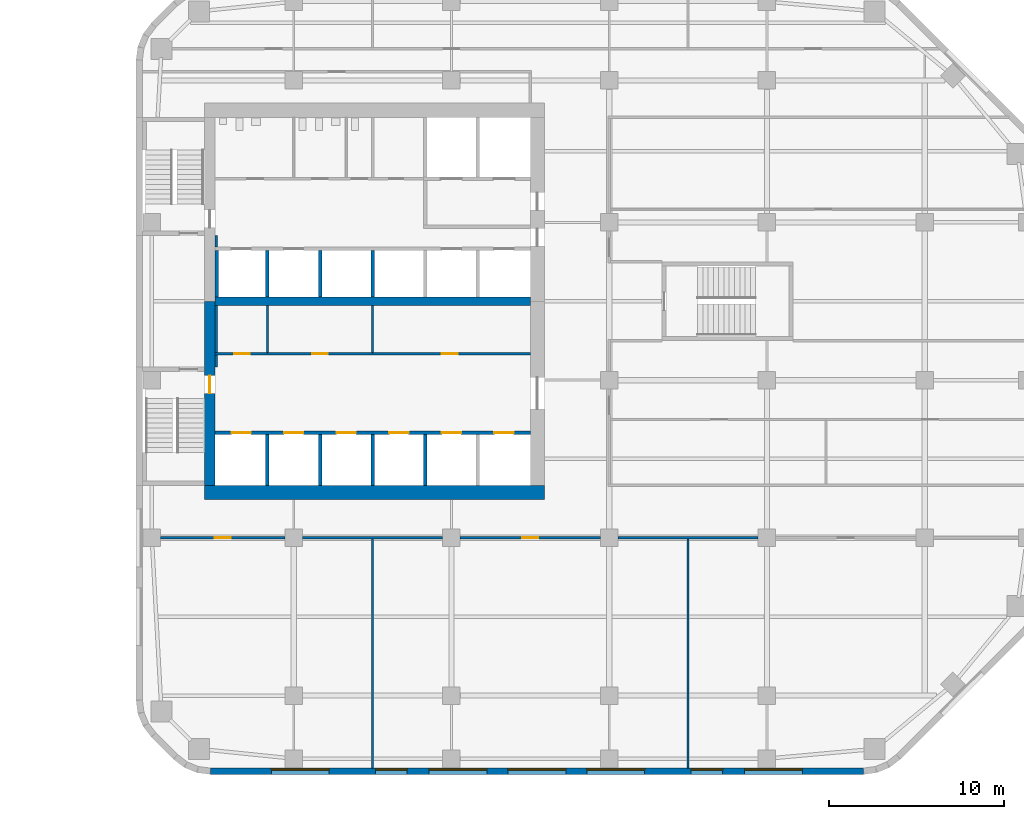
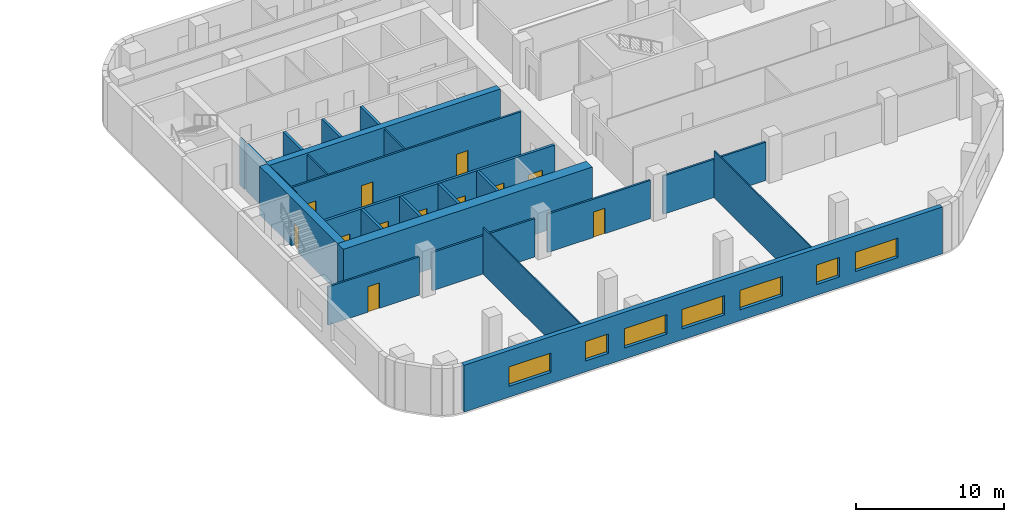
# One storey, part 8 of 14: 25 walls, 12 doors, 7 windows, 19 openings.
"""IFC4 building model written with IfcOpenShell, lengths in metres."""

from ifc_helpers import new_model, si_unit, direction, frame, frame_2d, origin, place, context, subcontext, project, spatial, rectangle, extrude, material, layer, layer_set, type_object, element, fill, save


model = new_model("IFC4")

# Units and contexts
model_context = context("Model", 3, precision=1e-05, world=origin(), true_north=direction((0.0, 1.0)))
body_context = subcontext(model_context, "Body", "Model", "MODEL_VIEW")
ifc_project = project(units=[si_unit("LENGTHUNIT", "METRE"), si_unit("AREAUNIT", "SQUARE_METRE"), si_unit("VOLUMEUNIT", "CUBIC_METRE"), si_unit("PLANEANGLEUNIT", "RADIAN"), si_unit("MASSUNIT", "GRAM", prefix="KILO")], contexts=[model_context])

# Site, building, storey
site_placement = place(None, origin())
site = spatial("IfcSite", under=ifc_project, at=site_placement, CompositionType="ELEMENT")
building_placement = place(site_placement, origin())
building = spatial("IfcBuilding", under=site, at=building_placement, Name="Cinnabar Reach Civic Tower", CompositionType="ELEMENT")
storey_placement = place(building_placement, frame((0.0, 0.0, 132.0)))
storey = spatial("IfcBuildingStorey", under=building, at=storey_placement, Name="L31", CompositionType="ELEMENT", Elevation=132.0)

# Wall, openings, windows
ifc_material_1 = material(Name="Facing brick with insulated backing", Category="masonry")
ifc_layer_1 = layer(ifc_material_1, 0.36)
ifc_layer_set_1 = layer_set([ifc_layer_1], Name="Brick pier and spandrel wall")
wall_type_1 = type_object("IfcWallType", Name="Brick pier and spandrel wall", PredefinedType="STANDARD", material=ifc_layer_set_1)
wall_1_placement = place(storey_placement, frame((4.2426, 4.68, 0.0), z_axis=(0.0, 0.0, 1.0), x_axis=(1.0, 0.0, 0.0)))
wall_1 = element("IfcWall", 1, at=wall_1_placement, inside=storey, type_object=wall_type_1, Name="Brick facade wall", PredefinedType="STANDARD", context=body_context, shape_type="SweptSolid", body=[
    extrude(rectangle(XDim=37.2648, YDim=0.36, at=frame_2d((18.6324, 0.0))), origin(), (0.0, 0.0, 1.0), 3.85),
])
opening_1_placement = place(wall_1_placement, frame((3.4824, 0.0, 0.9)))
opening_1 = element("IfcOpeningElement", 2, at=opening_1_placement, cuts=wall_1, Name="Opening W1655", PredefinedType="OPENING", context=body_context, shape_type="SweptSolid", body=[
    extrude(rectangle(XDim=3.3, YDim=1.6, at=frame_2d((1.65, 0.8))), frame((0.0, 0.19, 0.0), z_axis=(0.0, -1.0, 0.0), x_axis=(1.0, 0.0, 0.0)), (0.0, 0.0, 1.0), 0.38),
])
opening_2_placement = place(wall_1_placement, frame((9.4324, 0.0, 0.9)))
opening_2 = element("IfcOpeningElement", 3, at=opening_2_placement, cuts=wall_1, Name="Opening W1656", PredefinedType="OPENING", context=body_context, shape_type="SweptSolid", body=[
    extrude(rectangle(XDim=1.8, YDim=1.6, at=frame_2d((0.9, 0.8))), frame((0.0, 0.19, 0.0), z_axis=(0.0, -1.0, 0.0), x_axis=(1.0, 0.0, 0.0)), (0.0, 0.0, 1.0), 0.38),
])
opening_3_placement = place(wall_1_placement, frame((12.4824, 0.0, 0.9)))
opening_3 = element("IfcOpeningElement", 4, at=opening_3_placement, cuts=wall_1, Name="Opening W1657", PredefinedType="OPENING", context=body_context, shape_type="SweptSolid", body=[
    extrude(rectangle(XDim=3.3, YDim=1.6, at=frame_2d((1.65, 0.8))), frame((0.0, 0.19, 0.0), z_axis=(0.0, -1.0, 0.0), x_axis=(1.0, 0.0, 0.0)), (0.0, 0.0, 1.0), 0.38),
])
opening_4_placement = place(wall_1_placement, frame((16.9824, 0.0, 0.9)))
opening_4 = element("IfcOpeningElement", 5, at=opening_4_placement, cuts=wall_1, Name="Opening W1658", PredefinedType="OPENING", context=body_context, shape_type="SweptSolid", body=[
    extrude(rectangle(XDim=3.3, YDim=1.6, at=frame_2d((1.65, 0.8))), frame((0.0, 0.19, 0.0), z_axis=(0.0, -1.0, 0.0), x_axis=(1.0, 0.0, 0.0)), (0.0, 0.0, 1.0), 0.38),
])
opening_5_placement = place(wall_1_placement, frame((21.4824, 0.0, 0.9)))
opening_5 = element("IfcOpeningElement", 6, at=opening_5_placement, cuts=wall_1, Name="Opening W1659", PredefinedType="OPENING", context=body_context, shape_type="SweptSolid", body=[
    extrude(rectangle(XDim=3.3, YDim=1.6, at=frame_2d((1.65, 0.8))), frame((0.0, 0.19, 0.0), z_axis=(0.0, -1.0, 0.0), x_axis=(1.0, 0.0, 0.0)), (0.0, 0.0, 1.0), 0.38),
])
opening_6_placement = place(wall_1_placement, frame((27.4324, 0.0, 0.9)))
opening_6 = element("IfcOpeningElement", 7, at=opening_6_placement, cuts=wall_1, Name="Opening W1660", PredefinedType="OPENING", context=body_context, shape_type="SweptSolid", body=[
    extrude(rectangle(XDim=1.8, YDim=1.6, at=frame_2d((0.9, 0.8))), frame((0.0, 0.19, 0.0), z_axis=(0.0, -1.0, 0.0), x_axis=(1.0, 0.0, 0.0)), (0.0, 0.0, 1.0), 0.38),
])
opening_7_placement = place(wall_1_placement, frame((30.4824, 0.0, 0.9)))
opening_7 = element("IfcOpeningElement", 8, at=opening_7_placement, cuts=wall_1, Name="Opening W1661", PredefinedType="OPENING", context=body_context, shape_type="SweptSolid", body=[
    extrude(rectangle(XDim=3.3, YDim=1.6, at=frame_2d((1.65, 0.8))), frame((0.0, 0.19, 0.0), z_axis=(0.0, -1.0, 0.0), x_axis=(1.0, 0.0, 0.0)), (0.0, 0.0, 1.0), 0.38),
])
ifc_material_2 = material(Name="Clear double glazing in aluminium frame", Category="aluminium")
window_type_1 = type_object("IfcWindowType", Name="Deep-set window A", PartitioningType="SINGLE_PANEL", PredefinedType="WINDOW", material=ifc_material_2)
window_1_placement = place(opening_1_placement, origin())
window_1 = element("IfcWindow", 9, at=window_1_placement, inside=storey, type_object=window_type_1, Name="Window south face", OverallHeight=1.6, OverallWidth=3.3, PartitioningType="SINGLE_PANEL", PredefinedType="WINDOW", context=body_context, shape_type="SweptSolid", body=[
    extrude(rectangle(XDim=3.3, YDim=1.6, at=frame_2d((1.65, 0.8))), frame((0.0, 0.13, 0.0), z_axis=(0.0, -1.0, 0.0), x_axis=(1.0, 0.0, 0.0)), (0.0, 0.0, 1.0), 0.06),
])
fill(opening_1, window_1)
window_2_placement = place(opening_3_placement, origin())
window_2 = element("IfcWindow", 10, at=window_2_placement, inside=storey, type_object=window_type_1, Name="Window south face", OverallHeight=1.6, OverallWidth=3.3, PartitioningType="SINGLE_PANEL", PredefinedType="WINDOW", context=body_context, shape_type="SweptSolid", body=[
    extrude(rectangle(XDim=3.3, YDim=1.6, at=frame_2d((1.65, 0.8))), frame((0.0, 0.13, 0.0), z_axis=(0.0, -1.0, 0.0), x_axis=(1.0, 0.0, 0.0)), (0.0, 0.0, 1.0), 0.06),
])
fill(opening_3, window_2)
window_3_placement = place(opening_4_placement, origin())
window_3 = element("IfcWindow", 11, at=window_3_placement, inside=storey, type_object=window_type_1, Name="Window south face", OverallHeight=1.6, OverallWidth=3.3, PartitioningType="SINGLE_PANEL", PredefinedType="WINDOW", context=body_context, shape_type="SweptSolid", body=[
    extrude(rectangle(XDim=3.3, YDim=1.6, at=frame_2d((1.65, 0.8))), frame((0.0, 0.13, 0.0), z_axis=(0.0, -1.0, 0.0), x_axis=(1.0, 0.0, 0.0)), (0.0, 0.0, 1.0), 0.06),
])
fill(opening_4, window_3)
window_4_placement = place(opening_5_placement, origin())
window_4 = element("IfcWindow", 12, at=window_4_placement, inside=storey, type_object=window_type_1, Name="Window south face", OverallHeight=1.6, OverallWidth=3.3, PartitioningType="SINGLE_PANEL", PredefinedType="WINDOW", context=body_context, shape_type="SweptSolid", body=[
    extrude(rectangle(XDim=3.3, YDim=1.6, at=frame_2d((1.65, 0.8))), frame((0.0, 0.13, 0.0), z_axis=(0.0, -1.0, 0.0), x_axis=(1.0, 0.0, 0.0)), (0.0, 0.0, 1.0), 0.06),
])
fill(opening_5, window_4)
window_5_placement = place(opening_7_placement, origin())
window_5 = element("IfcWindow", 13, at=window_5_placement, inside=storey, type_object=window_type_1, Name="Window south face", OverallHeight=1.6, OverallWidth=3.3, PartitioningType="SINGLE_PANEL", PredefinedType="WINDOW", context=body_context, shape_type="SweptSolid", body=[
    extrude(rectangle(XDim=3.3, YDim=1.6, at=frame_2d((1.65, 0.8))), frame((0.0, 0.13, 0.0), z_axis=(0.0, -1.0, 0.0), x_axis=(1.0, 0.0, 0.0)), (0.0, 0.0, 1.0), 0.06),
])
fill(opening_7, window_5)
window_type_2 = type_object("IfcWindowType", Name="Deep-set window D", PartitioningType="SINGLE_PANEL", PredefinedType="WINDOW", material=ifc_material_2)
window_6_placement = place(opening_2_placement, origin())
window_6 = element("IfcWindow", 14, at=window_6_placement, inside=storey, type_object=window_type_2, Name="Window south face", OverallHeight=1.6, OverallWidth=1.8, PartitioningType="SINGLE_PANEL", PredefinedType="WINDOW", context=body_context, shape_type="SweptSolid", body=[
    extrude(rectangle(XDim=1.8, YDim=1.6, at=frame_2d((0.9, 0.8))), frame((0.0, 0.13, 0.0), z_axis=(0.0, -1.0, 0.0), x_axis=(1.0, 0.0, 0.0)), (0.0, 0.0, 1.0), 0.06),
])
fill(opening_2, window_6)
window_7_placement = place(opening_6_placement, origin())
window_7 = element("IfcWindow", 15, at=window_7_placement, inside=storey, type_object=window_type_2, Name="Window south face", OverallHeight=1.6, OverallWidth=1.8, PartitioningType="SINGLE_PANEL", PredefinedType="WINDOW", context=body_context, shape_type="SweptSolid", body=[
    extrude(rectangle(XDim=1.8, YDim=1.6, at=frame_2d((0.9, 0.8))), frame((0.0, 0.13, 0.0), z_axis=(0.0, -1.0, 0.0), x_axis=(1.0, 0.0, 0.0)), (0.0, 0.0, 1.0), 0.06),
])
fill(opening_6, window_7)

# Wall
ifc_material_3 = material(Name="Concrete C60", Category="concrete")
ifc_layer_2 = layer(ifc_material_3, 0.5)
ifc_layer_set_2 = layer_set([ifc_layer_2], Name="Core wall 500 EI 180")
wall_type_2 = type_object("IfcWallType", Name="Core wall 500 EI 180", PredefinedType="SOLIDWALL", material=ifc_layer_set_2)
wall_2_placement = place(storey_placement, frame((4.5, 31.5, 0.0), z_axis=(0.0, 0.0, 1.0), x_axis=(1.0, 0.0, 0.0)))
element("IfcWall", 16, at=wall_2_placement, inside=storey, type_object=wall_type_2, Name="Core spine wall T1 L31", PredefinedType="SOLIDWALL", context=body_context, shape_type="SweptSolid", body=[
    extrude(rectangle(XDim=18.0, YDim=0.5, at=frame_2d((9.0, 0.0))), origin(), (0.0, 0.0, 1.0), 4.0),
])

# Wall, opening, door
ifc_material_4 = material(Name="Concrete C70", Category="concrete")
ifc_layer_3 = layer(ifc_material_4, 0.6)
ifc_layer_set_3 = layer_set([ifc_layer_3], Name="Core wall 600 EI 180")
wall_type_3 = type_object("IfcWallType", Name="Core wall 600 EI 180", PredefinedType="SOLIDWALL", material=ifc_layer_set_3)
wall_3_placement = place(storey_placement, frame((4.2, 31.5, 0.0), z_axis=(0.0, 0.0, 1.0), x_axis=(0.0, -1.0, 0.0)))
wall_3 = element("IfcWall", 17, at=wall_3_placement, inside=storey, type_object=wall_type_3, Name="Core wall T1 L31 W2", PredefinedType="SOLIDWALL", context=body_context, shape_type="SweptSolid", body=[
    extrude(rectangle(XDim=10.5, YDim=0.6, at=frame_2d((5.25, 0.0))), origin(), (0.0, 0.0, 1.0), 4.0),
])
opening_8_placement = place(wall_3_placement, frame((4.25, 0.0, 0.0)))
opening_8 = element("IfcOpeningElement", 18, at=opening_8_placement, cuts=wall_3, Name="Opening D4252", PredefinedType="OPENING", context=body_context, shape_type="SweptSolid", body=[
    extrude(rectangle(XDim=1.0, YDim=2.1, at=frame_2d((0.5, 1.05))), frame((0.0, 0.31, 0.0), z_axis=(0.0, -1.0, 0.0), x_axis=(1.0, 0.0, 0.0)), (0.0, 0.0, 1.0), 0.62),
])
ifc_material_5 = material(Name="Timber door leaf in steel frame", Category="steel")
door_type_1 = type_object("IfcDoorType", Name="Stair door 1000 x 2100 T1", OperationType="SINGLE_SWING_LEFT", PredefinedType="DOOR", material=ifc_material_5)
door_1_placement = place(opening_8_placement, frame((1.0, 0.0, 0.0), z_axis=(0.0, 0.0, 1.0), x_axis=(-1.0, 0.0, 0.0)))
door_1 = element("IfcDoor", 19, at=door_1_placement, inside=storey, type_object=door_type_1, Name="Door D4252", OperationType="SINGLE_SWING_RIGHT", OverallHeight=2.1, OverallWidth=1.0, PredefinedType="DOOR", context=body_context, shape_type="SweptSolid", body=[
    extrude(rectangle(XDim=1.0, YDim=2.1, at=frame_2d((0.5, 1.05))), frame((0.0, 0.025, 0.0), z_axis=(0.0, -1.0, 0.0), x_axis=(1.0, 0.0, 0.0)), (0.0, 0.0, 1.0), 0.05),
])
fill(opening_8, door_1)

# Walls
ifc_layer_4 = layer(ifc_material_4, 0.8)
ifc_layer_set_4 = layer_set([ifc_layer_4], Name="Core wall 800 EI 180")
wall_type_4 = type_object("IfcWallType", Name="Core wall 800 EI 180", PredefinedType="SOLIDWALL", material=ifc_layer_set_4)
wall_4_placement = place(storey_placement, frame((3.9, 20.6, 0.0), z_axis=(0.0, 0.0, 1.0), x_axis=(1.0, 0.0, 0.0)))
element("IfcWall", 20, at=wall_4_placement, inside=storey, type_object=wall_type_4, Name="Core wall T1 L31 S", PredefinedType="SOLIDWALL", context=body_context, shape_type="SweptSolid", body=[
    extrude(rectangle(XDim=19.4, YDim=0.8, at=frame_2d((9.7, 0.0))), origin(), (0.0, 0.0, 1.0), 4.0),
])
ifc_material_6 = material(Name="Gypsum board on steel studs, double layer", Category="steel")
ifc_layer_5 = layer(ifc_material_6, 0.15)
ifc_layer_set_5 = layer_set([ifc_layer_5], Name="Corridor wall 150 T1")
wall_type_5 = type_object("IfcWallType", Name="Corridor wall 150 T1", PredefinedType="PARTITIONING", material=ifc_layer_set_5)
wall_5_placement = place(storey_placement, frame((27.5, 18.0, 0.0), z_axis=(0.0, 0.0, 1.0), x_axis=(1.0, 0.0, 0.0)))
element("IfcWall", 21, at=wall_5_placement, inside=storey, type_object=wall_type_5, Name="Corridor wall 21", PredefinedType="PARTITIONING", context=body_context, shape_type="SweptSolid", body=[
    extrude(rectangle(XDim=8.0, YDim=0.15, at=frame_2d((4.0, 0.0))), origin(), (0.0, 0.0, 1.0), 3.158),
])

# Wall, opening, door
wall_6_placement = place(storey_placement, frame((18.5, 18.0, 0.0), z_axis=(0.0, 0.0, 1.0), x_axis=(1.0, 0.0, 0.0)))
wall_6 = element("IfcWall", 22, at=wall_6_placement, inside=storey, type_object=wall_type_5, Name="Corridor wall 22", PredefinedType="PARTITIONING", context=body_context, shape_type="SweptSolid", body=[
    extrude(rectangle(XDim=8.0, YDim=0.15, at=frame_2d((4.0, 0.0))), origin(), (0.0, 0.0, 1.0), 3.158),
])
opening_9_placement = place(wall_6_placement, frame((3.55, 0.0, 0.0)))
opening_9 = element("IfcOpeningElement", 23, at=opening_9_placement, cuts=wall_6, Name="Opening D4285", PredefinedType="OPENING", context=body_context, shape_type="SweptSolid", body=[
    extrude(rectangle(XDim=0.9, YDim=2.1, at=frame_2d((0.45, 1.05))), frame((0.0, 0.085, 0.0), z_axis=(0.0, -1.0, 0.0), x_axis=(1.0, 0.0, 0.0)), (0.0, 0.0, 1.0), 0.17),
])
door_type_2 = type_object("IfcDoorType", Name="Single swing door 900 x 2100 corridor T1", OperationType="SINGLE_SWING_LEFT", PredefinedType="DOOR", material=ifc_material_5)
door_2_placement = place(opening_9_placement, frame((0.9, 0.0, 0.0), z_axis=(0.0, 0.0, 1.0), x_axis=(-1.0, 0.0, 0.0)))
door_2 = element("IfcDoor", 24, at=door_2_placement, inside=storey, type_object=door_type_2, Name="Door D4285", OperationType="SINGLE_SWING_LEFT", OverallHeight=2.1, OverallWidth=0.9, PredefinedType="DOOR", context=body_context, shape_type="SweptSolid", body=[
    extrude(rectangle(XDim=0.9, YDim=2.1, at=frame_2d((0.45, 1.05))), frame((0.0, 0.025, 0.0), z_axis=(0.0, -1.0, 0.0), x_axis=(1.0, 0.0, 0.0)), (0.0, 0.0, 1.0), 0.05),
])
fill(opening_9, door_2)

# Wall
wall_7_placement = place(storey_placement, frame((9.5, 18.0, 0.0), z_axis=(0.0, 0.0, 1.0), x_axis=(1.0, 0.0, 0.0)))
element("IfcWall", 25, at=wall_7_placement, inside=storey, type_object=wall_type_5, Name="Corridor wall 23", PredefinedType="PARTITIONING", context=body_context, shape_type="SweptSolid", body=[
    extrude(rectangle(XDim=8.0, YDim=0.15, at=frame_2d((4.0, 0.0))), origin(), (0.0, 0.0, 1.0), 3.158),
])

# Wall, opening, door
wall_8_placement = place(storey_placement, frame((1.4, 18.0, 0.0), z_axis=(0.0, 0.0, 1.0), x_axis=(1.0, 0.0, 0.0)))
wall_8 = element("IfcWall", 26, at=wall_8_placement, inside=storey, type_object=wall_type_5, Name="Corridor wall 24", PredefinedType="PARTITIONING", context=body_context, shape_type="SweptSolid", body=[
    extrude(rectangle(XDim=7.1, YDim=0.15, at=frame_2d((3.55, 0.0))), origin(), (0.0, 0.0, 1.0), 3.158),
])
opening_10_placement = place(wall_8_placement, frame((3.1, 0.0, 0.0)))
opening_10 = element("IfcOpeningElement", 27, at=opening_10_placement, cuts=wall_8, Name="Opening D4284", PredefinedType="OPENING", context=body_context, shape_type="SweptSolid", body=[
    extrude(rectangle(XDim=0.9, YDim=2.1, at=frame_2d((0.45, 1.05))), frame((0.0, 0.085, 0.0), z_axis=(0.0, -1.0, 0.0), x_axis=(1.0, 0.0, 0.0)), (0.0, 0.0, 1.0), 0.17),
])
door_3_placement = place(opening_10_placement, frame((0.9, 0.0, 0.0), z_axis=(0.0, 0.0, 1.0), x_axis=(-1.0, 0.0, 0.0)))
door_3 = element("IfcDoor", 28, at=door_3_placement, inside=storey, type_object=door_type_2, Name="Door D4284", OperationType="SINGLE_SWING_RIGHT", OverallHeight=2.1, OverallWidth=0.9, PredefinedType="DOOR", context=body_context, shape_type="SweptSolid", body=[
    extrude(rectangle(XDim=0.9, YDim=2.1, at=frame_2d((0.45, 1.05))), frame((0.0, 0.025, 0.0), z_axis=(0.0, -1.0, 0.0), x_axis=(1.0, 0.0, 0.0)), (0.0, 0.0, 1.0), 0.05),
])
fill(opening_10, door_3)

# Wall, openings, doors
wall_9_placement = place(storey_placement, frame((4.5, 28.5, 0.0), z_axis=(0.0, 0.0, 1.0), x_axis=(1.0, 0.0, 0.0)))
wall_9 = element("IfcWall", 29, at=wall_9_placement, inside=storey, type_object=wall_type_5, Name="Corridor wall 29", PredefinedType="PARTITIONING", context=body_context, shape_type="SweptSolid", body=[
    extrude(rectangle(XDim=18.0, YDim=0.15, at=frame_2d((9.0, 0.0))), origin(), (0.0, 0.0, 1.0), 3.85),
])
opening_11_placement = place(wall_9_placement, frame((1.1, 0.0, 0.0)))
opening_11 = element("IfcOpeningElement", 30, at=opening_11_placement, cuts=wall_9, Name="Opening D4272", PredefinedType="OPENING", context=body_context, shape_type="SweptSolid", body=[
    extrude(rectangle(XDim=0.9, YDim=2.1, at=frame_2d((0.45, 1.05))), frame((0.0, 0.085, 0.0), z_axis=(0.0, -1.0, 0.0), x_axis=(1.0, 0.0, 0.0)), (0.0, 0.0, 1.0), 0.17),
])
opening_12_placement = place(wall_9_placement, frame((5.55, 0.0, 0.0)))
opening_12 = element("IfcOpeningElement", 31, at=opening_12_placement, cuts=wall_9, Name="Opening D4273", PredefinedType="OPENING", context=body_context, shape_type="SweptSolid", body=[
    extrude(rectangle(XDim=0.9, YDim=2.1, at=frame_2d((0.45, 1.05))), frame((0.0, 0.085, 0.0), z_axis=(0.0, -1.0, 0.0), x_axis=(1.0, 0.0, 0.0)), (0.0, 0.0, 1.0), 0.17),
])
opening_13_placement = place(wall_9_placement, frame((12.95, 0.0, 0.0)))
opening_13 = element("IfcOpeningElement", 32, at=opening_13_placement, cuts=wall_9, Name="Opening D4274", PredefinedType="OPENING", context=body_context, shape_type="SweptSolid", body=[
    extrude(rectangle(XDim=0.9, YDim=2.1, at=frame_2d((0.45, 1.05))), frame((0.0, 0.085, 0.0), z_axis=(0.0, -1.0, 0.0), x_axis=(1.0, 0.0, 0.0)), (0.0, 0.0, 1.0), 0.17),
])
door_4_placement = place(opening_11_placement, origin())
door_4 = element("IfcDoor", 33, at=door_4_placement, inside=storey, type_object=door_type_2, Name="Door D4272", OperationType="SINGLE_SWING_LEFT", OverallHeight=2.1, OverallWidth=0.9, PredefinedType="DOOR", context=body_context, shape_type="SweptSolid", body=[
    extrude(rectangle(XDim=0.9, YDim=2.1, at=frame_2d((0.45, 1.05))), frame((0.0, 0.025, 0.0), z_axis=(0.0, -1.0, 0.0), x_axis=(1.0, 0.0, 0.0)), (0.0, 0.0, 1.0), 0.05),
])
fill(opening_11, door_4)
door_5_placement = place(opening_12_placement, origin())
door_5 = element("IfcDoor", 34, at=door_5_placement, inside=storey, type_object=door_type_2, Name="Door D4273", OperationType="SINGLE_SWING_LEFT", OverallHeight=2.1, OverallWidth=0.9, PredefinedType="DOOR", context=body_context, shape_type="SweptSolid", body=[
    extrude(rectangle(XDim=0.9, YDim=2.1, at=frame_2d((0.45, 1.05))), frame((0.0, 0.025, 0.0), z_axis=(0.0, -1.0, 0.0), x_axis=(1.0, 0.0, 0.0)), (0.0, 0.0, 1.0), 0.05),
])
fill(opening_12, door_5)
door_6_placement = place(opening_13_placement, origin())
door_6 = element("IfcDoor", 35, at=door_6_placement, inside=storey, type_object=door_type_2, Name="Door D4274", OperationType="SINGLE_SWING_LEFT", OverallHeight=2.1, OverallWidth=0.9, PredefinedType="DOOR", context=body_context, shape_type="SweptSolid", body=[
    extrude(rectangle(XDim=0.9, YDim=2.1, at=frame_2d((0.45, 1.05))), frame((0.0, 0.025, 0.0), z_axis=(0.0, -1.0, 0.0), x_axis=(1.0, 0.0, 0.0)), (0.0, 0.0, 1.0), 0.05),
])
fill(opening_13, door_6)

# Walls
wall_10_placement = place(storey_placement, frame((4.575, 27.75, 0.0), z_axis=(0.0, 0.0, 1.0), x_axis=(0.0, 1.0, 0.0)))
element("IfcWall", 36, at=wall_10_placement, inside=storey, type_object=wall_type_5, Name="Corridor wall 35", PredefinedType="PARTITIONING", context=body_context, shape_type="SweptSolid", body=[
    extrude(rectangle(XDim=0.675, YDim=0.15, at=frame_2d((0.3375, 0.0))), origin(), (0.0, 0.0, 1.0), 3.85),
])
wall_11_placement = place(storey_placement, frame((4.575, 28.575, 0.0), z_axis=(0.0, 0.0, 1.0), x_axis=(0.0, 1.0, 0.0)))
element("IfcWall", 37, at=wall_11_placement, inside=storey, type_object=wall_type_5, Name="Corridor wall 36", PredefinedType="PARTITIONING", context=body_context, shape_type="SweptSolid", body=[
    extrude(rectangle(XDim=2.675, YDim=0.15, at=frame_2d((1.3375, 0.0))), origin(), (0.0, 0.0, 1.0), 3.85),
])
wall_12_placement = place(storey_placement, frame((4.575, 34.6, 0.0), z_axis=(0.0, 0.0, 1.0), x_axis=(0.0, 1.0, 0.0)))
element("IfcWall", 38, at=wall_12_placement, inside=storey, type_object=wall_type_5, Name="Corridor wall 40", PredefinedType="PARTITIONING", context=body_context, shape_type="SweptSolid", body=[
    extrude(rectangle(XDim=0.65, YDim=0.15, at=frame_2d((0.325, 0.0))), origin(), (0.0, 0.0, 1.0), 3.85),
])

# Wall, openings, doors
ifc_material_7 = material(Name="Blockwork", Category="masonry")
ifc_layer_6 = layer(ifc_material_7, 0.2)
ifc_layer_set_6 = layer_set([ifc_layer_6], Name="Lift shaft wall 200 T1")
wall_type_6 = type_object("IfcWallType", Name="Lift shaft wall 200 T1", PredefinedType="PARTITIONING", material=ifc_layer_set_6)
wall_13_placement = place(storey_placement, frame((4.5, 24.0, 0.0), z_axis=(0.0, 0.0, 1.0), x_axis=(1.0, 0.0, 0.0)))
wall_13 = element("IfcWall", 39, at=wall_13_placement, inside=storey, type_object=wall_type_6, Name="Lift shaft wall 4", PredefinedType="PARTITIONING", context=body_context, shape_type="SweptSolid", body=[
    extrude(rectangle(XDim=18.0, YDim=0.2, at=frame_2d((9.0, 0.0))), origin(), (0.0, 0.0, 1.0), 3.85),
])
opening_14_placement = place(wall_13_placement, frame((0.95, 0.0, 0.0)))
opening_14 = element("IfcOpeningElement", 40, at=opening_14_placement, cuts=wall_13, Name="Opening D4256", PredefinedType="OPENING", context=body_context, shape_type="SweptSolid", body=[
    extrude(rectangle(XDim=1.1, YDim=2.1, at=frame_2d((0.55, 1.05))), frame((0.0, 0.11, 0.0), z_axis=(0.0, -1.0, 0.0), x_axis=(1.0, 0.0, 0.0)), (0.0, 0.0, 1.0), 0.22),
])
opening_15_placement = place(wall_13_placement, frame((3.95, 0.0, 0.0)))
opening_15 = element("IfcOpeningElement", 41, at=opening_15_placement, cuts=wall_13, Name="Opening D4257", PredefinedType="OPENING", context=body_context, shape_type="SweptSolid", body=[
    extrude(rectangle(XDim=1.1, YDim=2.1, at=frame_2d((0.55, 1.05))), frame((0.0, 0.11, 0.0), z_axis=(0.0, -1.0, 0.0), x_axis=(1.0, 0.0, 0.0)), (0.0, 0.0, 1.0), 0.22),
])
opening_16_placement = place(wall_13_placement, frame((6.95, 0.0, 0.0)))
opening_16 = element("IfcOpeningElement", 42, at=opening_16_placement, cuts=wall_13, Name="Opening D4258", PredefinedType="OPENING", context=body_context, shape_type="SweptSolid", body=[
    extrude(rectangle(XDim=1.1, YDim=2.1, at=frame_2d((0.55, 1.05))), frame((0.0, 0.11, 0.0), z_axis=(0.0, -1.0, 0.0), x_axis=(1.0, 0.0, 0.0)), (0.0, 0.0, 1.0), 0.22),
])
opening_17_placement = place(wall_13_placement, frame((9.95, 0.0, 0.0)))
opening_17 = element("IfcOpeningElement", 43, at=opening_17_placement, cuts=wall_13, Name="Opening D4259", PredefinedType="OPENING", context=body_context, shape_type="SweptSolid", body=[
    extrude(rectangle(XDim=1.1, YDim=2.1, at=frame_2d((0.55, 1.05))), frame((0.0, 0.11, 0.0), z_axis=(0.0, -1.0, 0.0), x_axis=(1.0, 0.0, 0.0)), (0.0, 0.0, 1.0), 0.22),
])
opening_18_placement = place(wall_13_placement, frame((12.95, 0.0, 0.0)))
opening_18 = element("IfcOpeningElement", 44, at=opening_18_placement, cuts=wall_13, Name="Opening D4260", PredefinedType="OPENING", context=body_context, shape_type="SweptSolid", body=[
    extrude(rectangle(XDim=1.1, YDim=2.1, at=frame_2d((0.55, 1.05))), frame((0.0, 0.11, 0.0), z_axis=(0.0, -1.0, 0.0), x_axis=(1.0, 0.0, 0.0)), (0.0, 0.0, 1.0), 0.22),
])
opening_19_placement = place(wall_13_placement, frame((15.95, 0.0, 0.0)))
opening_19 = element("IfcOpeningElement", 45, at=opening_19_placement, cuts=wall_13, Name="Opening D4261", PredefinedType="OPENING", context=body_context, shape_type="SweptSolid", body=[
    extrude(rectangle(XDim=1.1, YDim=2.1, at=frame_2d((0.55, 1.05))), frame((0.0, 0.11, 0.0), z_axis=(0.0, -1.0, 0.0), x_axis=(1.0, 0.0, 0.0)), (0.0, 0.0, 1.0), 0.22),
])
ifc_material_8 = material(Name="Stainless steel sliding door", Category="steel")
door_type_3 = type_object("IfcDoorType", Name="Lift landing door 1100 x 2100 T1", OperationType="SLIDING_TO_LEFT", PredefinedType="DOOR", material=ifc_material_8)
door_7_placement = place(opening_14_placement, origin())
door_7 = element("IfcDoor", 46, at=door_7_placement, inside=storey, type_object=door_type_3, Name="Lift landing door LR1 L31", OperationType="SLIDING_TO_LEFT", OverallHeight=2.1, OverallWidth=1.1, PredefinedType="DOOR", context=body_context, shape_type="SweptSolid", body=[
    extrude(rectangle(XDim=1.1, YDim=2.1, at=frame_2d((0.55, 1.05))), frame((0.0, 0.025, 0.0), z_axis=(0.0, -1.0, 0.0), x_axis=(1.0, 0.0, 0.0)), (0.0, 0.0, 1.0), 0.05),
])
fill(opening_14, door_7)
door_8_placement = place(opening_15_placement, origin())
door_8 = element("IfcDoor", 47, at=door_8_placement, inside=storey, type_object=door_type_3, Name="Lift landing door LR2 L31", OperationType="SLIDING_TO_LEFT", OverallHeight=2.1, OverallWidth=1.1, PredefinedType="DOOR", context=body_context, shape_type="SweptSolid", body=[
    extrude(rectangle(XDim=1.1, YDim=2.1, at=frame_2d((0.55, 1.05))), frame((0.0, 0.025, 0.0), z_axis=(0.0, -1.0, 0.0), x_axis=(1.0, 0.0, 0.0)), (0.0, 0.0, 1.0), 0.05),
])
fill(opening_15, door_8)
door_9_placement = place(opening_16_placement, origin())
door_9 = element("IfcDoor", 48, at=door_9_placement, inside=storey, type_object=door_type_3, Name="Lift landing door LR3 L31", OperationType="SLIDING_TO_LEFT", OverallHeight=2.1, OverallWidth=1.1, PredefinedType="DOOR", context=body_context, shape_type="SweptSolid", body=[
    extrude(rectangle(XDim=1.1, YDim=2.1, at=frame_2d((0.55, 1.05))), frame((0.0, 0.025, 0.0), z_axis=(0.0, -1.0, 0.0), x_axis=(1.0, 0.0, 0.0)), (0.0, 0.0, 1.0), 0.05),
])
fill(opening_16, door_9)
door_10_placement = place(opening_17_placement, origin())
door_10 = element("IfcDoor", 49, at=door_10_placement, inside=storey, type_object=door_type_3, Name="Lift landing door LR4 L31", OperationType="SLIDING_TO_LEFT", OverallHeight=2.1, OverallWidth=1.1, PredefinedType="DOOR", context=body_context, shape_type="SweptSolid", body=[
    extrude(rectangle(XDim=1.1, YDim=2.1, at=frame_2d((0.55, 1.05))), frame((0.0, 0.025, 0.0), z_axis=(0.0, -1.0, 0.0), x_axis=(1.0, 0.0, 0.0)), (0.0, 0.0, 1.0), 0.05),
])
fill(opening_17, door_10)
door_11_placement = place(opening_18_placement, origin())
door_11 = element("IfcDoor", 50, at=door_11_placement, inside=storey, type_object=door_type_3, Name="Lift landing door LR5 L31", OperationType="SLIDING_TO_LEFT", OverallHeight=2.1, OverallWidth=1.1, PredefinedType="DOOR", context=body_context, shape_type="SweptSolid", body=[
    extrude(rectangle(XDim=1.1, YDim=2.1, at=frame_2d((0.55, 1.05))), frame((0.0, 0.025, 0.0), z_axis=(0.0, -1.0, 0.0), x_axis=(1.0, 0.0, 0.0)), (0.0, 0.0, 1.0), 0.05),
])
fill(opening_18, door_11)
door_12_placement = place(opening_19_placement, origin())
door_12 = element("IfcDoor", 51, at=door_12_placement, inside=storey, type_object=door_type_3, Name="Lift landing door LR6 L31", OperationType="SLIDING_TO_LEFT", OverallHeight=2.1, OverallWidth=1.1, PredefinedType="DOOR", context=body_context, shape_type="SweptSolid", body=[
    extrude(rectangle(XDim=1.1, YDim=2.1, at=frame_2d((0.55, 1.05))), frame((0.0, 0.025, 0.0), z_axis=(0.0, -1.0, 0.0), x_axis=(1.0, 0.0, 0.0)), (0.0, 0.0, 1.0), 0.05),
])
fill(opening_19, door_12)

# Walls
wall_14_placement = place(storey_placement, frame((4.6, 31.75, 0.0), z_axis=(0.0, 0.0, 1.0), x_axis=(0.0, 1.0, 0.0)))
element("IfcWall", 52, at=wall_14_placement, inside=storey, type_object=wall_type_6, Name="Lift shaft wall 8", PredefinedType="PARTITIONING", context=body_context, shape_type="SweptSolid", body=[
    extrude(rectangle(XDim=2.65, YDim=0.2, at=frame_2d((1.325, 0.0))), origin(), (0.0, 0.0, 1.0), 3.85),
])
wall_15_placement = place(storey_placement, frame((7.5, 21.0, 0.0), z_axis=(0.0, 0.0, 1.0), x_axis=(0.0, 1.0, 0.0)))
element("IfcWall", 53, at=wall_15_placement, inside=storey, type_object=wall_type_6, Name="Lift shaft wall 9", PredefinedType="PARTITIONING", context=body_context, shape_type="SweptSolid", body=[
    extrude(rectangle(XDim=2.9, YDim=0.2, at=frame_2d((1.45, 0.0))), origin(), (0.0, 0.0, 1.0), 3.85),
])
wall_16_placement = place(storey_placement, frame((7.5, 31.75, 0.0), z_axis=(0.0, 0.0, 1.0), x_axis=(0.0, 1.0, 0.0)))
element("IfcWall", 54, at=wall_16_placement, inside=storey, type_object=wall_type_6, Name="Lift shaft wall 10", PredefinedType="PARTITIONING", context=body_context, shape_type="SweptSolid", body=[
    extrude(rectangle(XDim=2.65, YDim=0.2, at=frame_2d((1.325, 0.0))), origin(), (0.0, 0.0, 1.0), 3.85),
])
wall_17_placement = place(storey_placement, frame((10.5, 21.0, 0.0), z_axis=(0.0, 0.0, 1.0), x_axis=(0.0, 1.0, 0.0)))
element("IfcWall", 55, at=wall_17_placement, inside=storey, type_object=wall_type_6, Name="Lift shaft wall 11", PredefinedType="PARTITIONING", context=body_context, shape_type="SweptSolid", body=[
    extrude(rectangle(XDim=2.9, YDim=0.2, at=frame_2d((1.45, 0.0))), origin(), (0.0, 0.0, 1.0), 3.85),
])
wall_18_placement = place(storey_placement, frame((10.5, 31.75, 0.0), z_axis=(0.0, 0.0, 1.0), x_axis=(0.0, 1.0, 0.0)))
element("IfcWall", 56, at=wall_18_placement, inside=storey, type_object=wall_type_6, Name="Lift shaft wall 12", PredefinedType="PARTITIONING", context=body_context, shape_type="SweptSolid", body=[
    extrude(rectangle(XDim=2.65, YDim=0.2, at=frame_2d((1.325, 0.0))), origin(), (0.0, 0.0, 1.0), 3.85),
])
wall_19_placement = place(storey_placement, frame((13.5, 21.0, 0.0), z_axis=(0.0, 0.0, 1.0), x_axis=(0.0, 1.0, 0.0)))
element("IfcWall", 57, at=wall_19_placement, inside=storey, type_object=wall_type_6, Name="Lift shaft wall 13", PredefinedType="PARTITIONING", context=body_context, shape_type="SweptSolid", body=[
    extrude(rectangle(XDim=2.9, YDim=0.2, at=frame_2d((1.45, 0.0))), origin(), (0.0, 0.0, 1.0), 3.85),
])
wall_20_placement = place(storey_placement, frame((13.5, 31.75, 0.0), z_axis=(0.0, 0.0, 1.0), x_axis=(0.0, 1.0, 0.0)))
element("IfcWall", 58, at=wall_20_placement, inside=storey, type_object=wall_type_6, Name="Lift shaft wall 14", PredefinedType="PARTITIONING", context=body_context, shape_type="SweptSolid", body=[
    extrude(rectangle(XDim=2.65, YDim=0.2, at=frame_2d((1.325, 0.0))), origin(), (0.0, 0.0, 1.0), 3.85),
])
wall_21_placement = place(storey_placement, frame((16.5, 21.0, 0.0), z_axis=(0.0, 0.0, 1.0), x_axis=(0.0, 1.0, 0.0)))
element("IfcWall", 59, at=wall_21_placement, inside=storey, type_object=wall_type_6, Name="Lift shaft wall 15", PredefinedType="PARTITIONING", context=body_context, shape_type="SweptSolid", body=[
    extrude(rectangle(XDim=2.9, YDim=0.2, at=frame_2d((1.45, 0.0))), origin(), (0.0, 0.0, 1.0), 3.85),
])
ifc_material_9 = material(Name="Gypsum board on steel studs", Category="steel")
ifc_layer_7 = layer(ifc_material_9, 0.1)
ifc_layer_set_7 = layer_set([ifc_layer_7], Name="Partition wall 100 T1")
wall_type_7 = type_object("IfcWallType", Name="Partition wall 100 T1", PredefinedType="PARTITIONING", material=ifc_layer_set_7)
for number, where, z_axis, x_axis, name in (
    (60, (13.5, 4.86, 0.0), (0.0, 0.0, 1.0), (0.0, 1.0, 0.0), "Partition wall 45"),
    (61, (31.5, 4.86, 0.0), (0.0, 0.0, 1.0), (0.0, 1.0, 0.0), "Partition wall 46"),
):
    element("IfcWall", number, at=place(storey_placement, frame(where, z_axis=z_axis, x_axis=x_axis)), inside=storey, type_object=wall_type_7, Name=name, PredefinedType="PARTITIONING", context=body_context, shape_type="SweptSolid", body=[
        extrude(rectangle(XDim=13.065, YDim=0.1, at=frame_2d((6.5325, 0.0))), origin(), (0.0, 0.0, 1.0), 3.85),
    ])
for number, where, z_axis, x_axis, name in (
    (62, (7.5, 28.575, 0.0), (0.0, 0.0, 1.0), (0.0, 1.0, 0.0), "Partition wall 52"),
    (63, (13.5, 28.575, 0.0), (0.0, 0.0, 1.0), (0.0, 1.0, 0.0), "Partition wall 53"),
):
    element("IfcWall", number, at=place(storey_placement, frame(where, z_axis=z_axis, x_axis=x_axis)), inside=storey, type_object=wall_type_7, Name=name, PredefinedType="PARTITIONING", context=body_context, shape_type="SweptSolid", body=[
        extrude(rectangle(XDim=2.675, YDim=0.1, at=frame_2d((1.3375, 0.0))), origin(), (0.0, 0.0, 1.0), 3.85),
    ])

save(model, "model.ifc")
